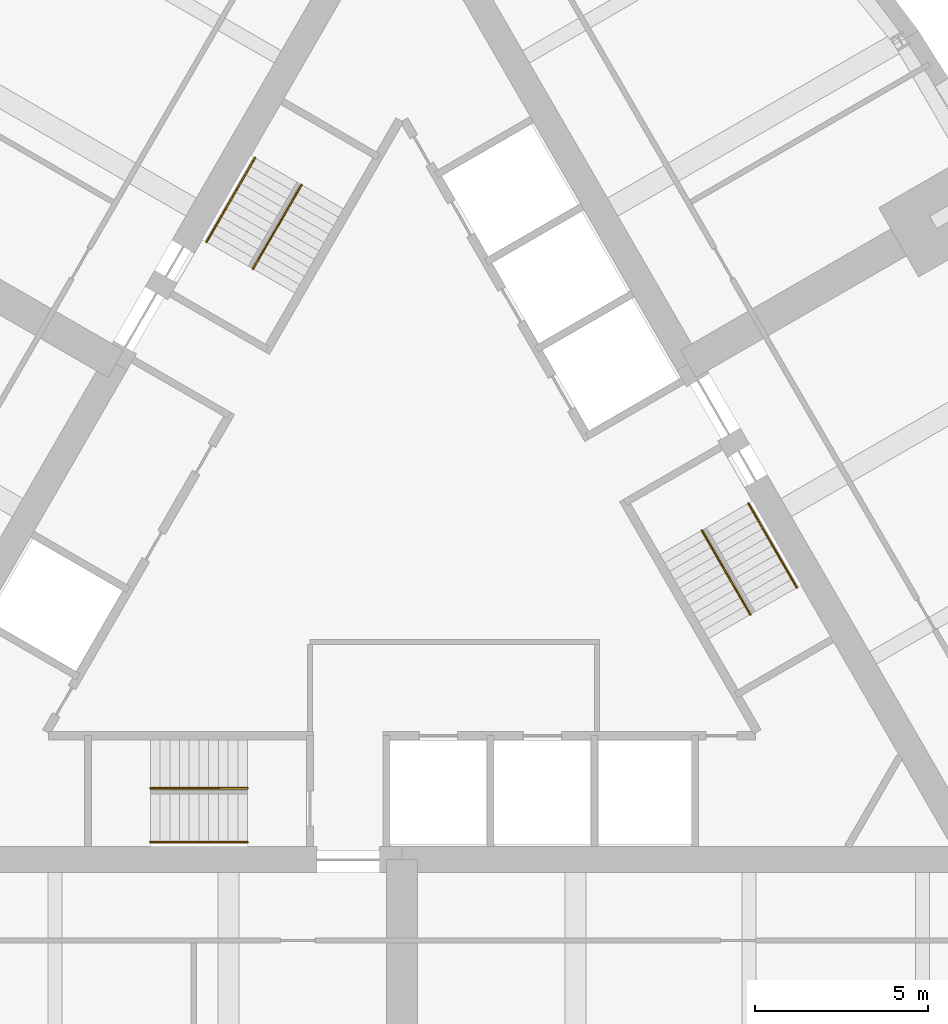
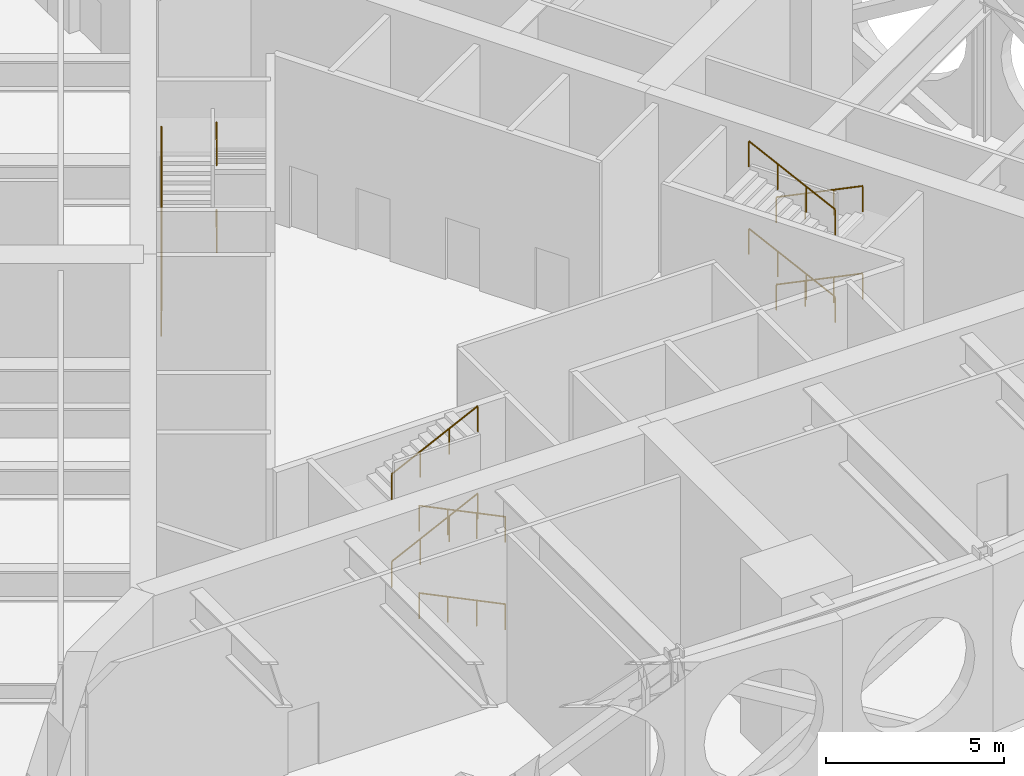
# One storey, part 7 of 7: 12 railings.
"""IFC4 building model written with IfcOpenShell, lengths in metres."""

from ifc_helpers import new_model, si_unit, direction, frame, origin, origin_2d, place, context, subcontext, project, spatial, circle, extrude, material, type_object, element, save


model = new_model("IFC4")

# Units and contexts
model_context = context("Model", 3, precision=1e-05, world=origin(), true_north=direction((0.0, 1.0)))
body_context = subcontext(model_context, "Body", "Model", "MODEL_VIEW")
ifc_project = project(units=[si_unit("LENGTHUNIT", "METRE"), si_unit("AREAUNIT", "SQUARE_METRE"), si_unit("VOLUMEUNIT", "CUBIC_METRE"), si_unit("PLANEANGLEUNIT", "RADIAN"), si_unit("MASSUNIT", "GRAM", prefix="KILO")], contexts=[model_context])

# Site, building, storey
site_placement = place(None, origin())
site = spatial("IfcSite", under=ifc_project, at=site_placement, CompositionType="ELEMENT")
building_placement = place(site_placement, origin())
building = spatial("IfcBuilding", under=site, at=building_placement, Name="Trikona Tower", CompositionType="ELEMENT")
storey_placement = place(building_placement, frame((0.0, 0.0, 233.300048828125)))
storey = spatial("IfcBuildingStorey", under=building, at=storey_placement, Name="L62", CompositionType="ELEMENT", Elevation=233.300048828125)

# Railings
ifc_material = material(Name="Stainless steel handrail", Category="steel")
railing_type = type_object("IfcRailingType", Name="Stair handrail", PredefinedType="HANDRAIL", material=ifc_material)
railing_1_placement = place(storey_placement, frame((-4.449951171875, -9.016357421875, 0.13623046875)))
element("IfcRailing", 1, at=railing_1_placement, inside=storey, type_object=railing_type, Name="Stair handrail A L62 1", PredefinedType="HANDRAIL", context=body_context, shape_type="SweptSolid", body=[
    extrude(circle(Radius=0.02392578125, at=origin_2d()), frame((0.0, 0.0, 0.8759765625), z_axis=(-0.899034972723, 0.0, 0.437876829508), x_axis=(0.0, -1.0, 0.0)), (0.0, 0.0, 1.0), 3.114501953125),
    extrude(circle(Radius=0.02099609375, at=origin_2d()), origin(), (0.0, 0.0, 1.0), 0.851806640625),
    extrude(circle(Radius=0.02099609375, at=origin_2d()), frame((-0.933349609375, 0.0, 0.45458984375)), (0.0, 0.0, 1.0), 0.851806640625),
    extrude(circle(Radius=0.02099609375, at=origin_2d()), frame((-1.86669921875, 0.0, 0.9091796875)), (0.0, 0.0, 1.0), 0.851806640625),
    extrude(circle(Radius=0.02099609375, at=origin_2d()), frame((-2.800048828125, 0.0, 1.36376953125)), (0.0, 0.0, 1.0), 0.851806640625),
])
railing_2_placement = place(storey_placement, frame((-7.25, -7.46630859375, 1.63623046875)))
element("IfcRailing", 2, at=railing_2_placement, inside=storey, type_object=railing_type, Name="Stair handrail A L62 2", PredefinedType="HANDRAIL", context=body_context, shape_type="SweptSolid", body=[
    extrude(circle(Radius=0.02392578125, at=origin_2d()), frame((0.0, 0.0, 0.8759765625), z_axis=(0.899034972723, 0.0, 0.437876829508), x_axis=(0.0, 1.0, 0.0)), (0.0, 0.0, 1.0), 3.114501953125),
    extrude(circle(Radius=0.02099609375, at=origin_2d()), origin(), (0.0, 0.0, 1.0), 0.851806640625),
    extrude(circle(Radius=0.02099609375, at=origin_2d()), frame((0.933349609375, 0.0, 0.45458984375)), (0.0, 0.0, 1.0), 0.851806640625),
    extrude(circle(Radius=0.02099609375, at=origin_2d()), frame((1.86669921875, 0.0, 0.9091796875)), (0.0, 0.0, 1.0), 0.851806640625),
    extrude(circle(Radius=0.02099609375, at=origin_2d()), frame((2.800048828125, 0.0, 1.36376953125)), (0.0, 0.0, 1.0), 0.851806640625),
])
railing_3_placement = place(storey_placement, frame((-4.449951171875, -9.016357421875, 3.13623046875)))
element("IfcRailing", 3, at=railing_3_placement, inside=storey, type_object=railing_type, Name="Stair handrail A L62 3", PredefinedType="HANDRAIL", context=body_context, shape_type="SweptSolid", body=[
    extrude(circle(Radius=0.02392578125, at=origin_2d()), frame((0.0, 0.0, 0.8759765625), z_axis=(-0.899034972723, 0.0, 0.437876829508), x_axis=(0.0, -1.0, 0.0)), (0.0, 0.0, 1.0), 3.114501953125),
    extrude(circle(Radius=0.02099609375, at=origin_2d()), origin(), (0.0, 0.0, 1.0), 0.851806640625),
    extrude(circle(Radius=0.02099609375, at=origin_2d()), frame((-0.933349609375, 0.0, 0.45458984375)), (0.0, 0.0, 1.0), 0.851806640625),
    extrude(circle(Radius=0.02099609375, at=origin_2d()), frame((-1.86669921875, 0.0, 0.9091796875)), (0.0, 0.0, 1.0), 0.851806640625),
    extrude(circle(Radius=0.02099609375, at=origin_2d()), frame((-2.800048828125, 0.0, 1.36376953125)), (0.0, 0.0, 1.0), 0.851806640625),
])
railing_4_placement = place(storey_placement, frame((-7.25, -7.46630859375, 4.63623046875)))
element("IfcRailing", 4, at=railing_4_placement, inside=storey, type_object=railing_type, Name="Stair handrail A L62 4", PredefinedType="HANDRAIL", context=body_context, shape_type="SweptSolid", body=[
    extrude(circle(Radius=0.02392578125, at=origin_2d()), frame((0.0, 0.0, 0.8759765625), z_axis=(0.899034972723, 0.0, 0.437876829508), x_axis=(0.0, 1.0, 0.0)), (0.0, 0.0, 1.0), 3.114501953125),
    extrude(circle(Radius=0.02099609375, at=origin_2d()), origin(), (0.0, 0.0, 1.0), 0.851806640625),
    extrude(circle(Radius=0.02099609375, at=origin_2d()), frame((0.933349609375, 0.0, 0.45458984375)), (0.0, 0.0, 1.0), 0.851806640625),
    extrude(circle(Radius=0.02099609375, at=origin_2d()), frame((1.86669921875, 0.0, 0.9091796875)), (0.0, 0.0, 1.0), 0.851806640625),
    extrude(circle(Radius=0.02099609375, at=origin_2d()), frame((2.800048828125, 0.0, 1.36376953125)), (0.0, 0.0, 1.0), 0.851806640625),
])
railing_5_placement = place(storey_placement, frame((9.9833984375, 0.740966796875, 0.13623046875)))
element("IfcRailing", 5, at=railing_5_placement, inside=storey, type_object=railing_type, Name="Stair handrail B L62 1", PredefinedType="HANDRAIL", context=body_context, shape_type="SweptSolid", body=[
    extrude(circle(Radius=0.02392578125, at=origin_2d()), frame((0.0, 0.0, 0.8759765625), z_axis=(0.449470995421, -0.778617962595, 0.437869721036), x_axis=(0.866056369097, 0.49994636267, 0.0)), (0.0, 0.0, 1.0), 3.114501953125),
    extrude(circle(Radius=0.02099609375, at=origin_2d()), origin(), (0.0, 0.0, 1.0), 0.851806640625),
    extrude(circle(Radius=0.02099609375, at=origin_2d()), frame((0.466552734375, -0.808349609375, 0.45458984375)), (0.0, 0.0, 1.0), 0.851806640625),
    extrude(circle(Radius=0.02099609375, at=origin_2d()), frame((0.933349609375, -1.61669921875, 0.9091796875)), (0.0, 0.0, 1.0), 0.851806640625),
    extrude(circle(Radius=0.02099609375, at=origin_2d()), frame((1.39990234375, -2.425048828125, 1.36376953125)), (0.0, 0.0, 1.0), 0.851806640625),
])
railing_6_placement = place(storey_placement, frame((10.041015625, -2.458984375, 1.63623046875)))
element("IfcRailing", 6, at=railing_6_placement, inside=storey, type_object=railing_type, Name="Stair handrail B L62 2", PredefinedType="HANDRAIL", context=body_context, shape_type="SweptSolid", body=[
    extrude(circle(Radius=0.02392578125, at=origin_2d()), frame((0.0, 0.0, 0.8759765625), z_axis=(-0.449470995421, 0.778617962595, 0.437869721036), x_axis=(-0.866056369097, -0.49994636267, 0.0)), (0.0, 0.0, 1.0), 3.114501953125),
    extrude(circle(Radius=0.02099609375, at=origin_2d()), origin(), (0.0, 0.0, 1.0), 0.851806640625),
    extrude(circle(Radius=0.02099609375, at=origin_2d()), frame((-0.466552734375, 0.808349609375, 0.45458984375)), (0.0, 0.0, 1.0), 0.851806640625),
    extrude(circle(Radius=0.02099609375, at=origin_2d()), frame((-0.933349609375, 1.61669921875, 0.9091796875)), (0.0, 0.0, 1.0), 0.851806640625),
    extrude(circle(Radius=0.02099609375, at=origin_2d()), frame((-1.39990234375, 2.425048828125, 1.36376953125)), (0.0, 0.0, 1.0), 0.851806640625),
])
railing_7_placement = place(storey_placement, frame((9.9833984375, 0.740966796875, 3.13623046875)))
element("IfcRailing", 7, at=railing_7_placement, inside=storey, type_object=railing_type, Name="Stair handrail B L62 3", PredefinedType="HANDRAIL", context=body_context, shape_type="SweptSolid", body=[
    extrude(circle(Radius=0.02392578125, at=origin_2d()), frame((0.0, 0.0, 0.8759765625), z_axis=(0.449470995421, -0.778617962595, 0.437869721036), x_axis=(0.866056369097, 0.49994636267, 0.0)), (0.0, 0.0, 1.0), 3.114501953125),
    extrude(circle(Radius=0.02099609375, at=origin_2d()), origin(), (0.0, 0.0, 1.0), 0.851806640625),
    extrude(circle(Radius=0.02099609375, at=origin_2d()), frame((0.466552734375, -0.808349609375, 0.45458984375)), (0.0, 0.0, 1.0), 0.851806640625),
    extrude(circle(Radius=0.02099609375, at=origin_2d()), frame((0.933349609375, -1.61669921875, 0.9091796875)), (0.0, 0.0, 1.0), 0.851806640625),
    extrude(circle(Radius=0.02099609375, at=origin_2d()), frame((1.39990234375, -2.425048828125, 1.36376953125)), (0.0, 0.0, 1.0), 0.851806640625),
])
railing_8_placement = place(storey_placement, frame((10.041015625, -2.458984375, 4.63623046875)))
element("IfcRailing", 8, at=railing_8_placement, inside=storey, type_object=railing_type, Name="Stair handrail B L62 4", PredefinedType="HANDRAIL", context=body_context, shape_type="SweptSolid", body=[
    extrude(circle(Radius=0.02392578125, at=origin_2d()), frame((0.0, 0.0, 0.8759765625), z_axis=(-0.449470995421, 0.778617962595, 0.437869721036), x_axis=(-0.866056369097, -0.49994636267, 0.0)), (0.0, 0.0, 1.0), 3.114501953125),
    extrude(circle(Radius=0.02099609375, at=origin_2d()), origin(), (0.0, 0.0, 1.0), 0.851806640625),
    extrude(circle(Radius=0.02099609375, at=origin_2d()), frame((-0.466552734375, 0.808349609375, 0.45458984375)), (0.0, 0.0, 1.0), 0.851806640625),
    extrude(circle(Radius=0.02099609375, at=origin_2d()), frame((-0.933349609375, 1.61669921875, 0.9091796875)), (0.0, 0.0, 1.0), 0.851806640625),
    extrude(circle(Radius=0.02099609375, at=origin_2d()), frame((-1.39990234375, 2.425048828125, 1.36376953125)), (0.0, 0.0, 1.0), 0.851806640625),
])
railing_9_placement = place(storey_placement, frame((-5.63330078125, 8.275390625, 0.13623046875)))
element("IfcRailing", 9, at=railing_9_placement, inside=storey, type_object=railing_type, Name="Stair handrail C L62 1", PredefinedType="HANDRAIL", context=body_context, shape_type="SweptSolid", body=[
    extrude(circle(Radius=0.02392578125, at=origin_2d()), frame((0.0, 0.0, 0.8759765625), z_axis=(0.449498429348, 0.778587094573, 0.437896446867), x_axis=(-0.866034573852, 0.49998411664, 0.0)), (0.0, 0.0, 1.0), 3.1142578125),
    extrude(circle(Radius=0.02099609375, at=origin_2d()), origin(), (0.0, 0.0, 1.0), 0.851806640625),
    extrude(circle(Radius=0.02099609375, at=origin_2d()), frame((0.466552734375, 0.808349609375, 0.45458984375)), (0.0, 0.0, 1.0), 0.851806640625),
    extrude(circle(Radius=0.02099609375, at=origin_2d()), frame((0.933349609375, 1.616455078125, 0.9091796875)), (0.0, 0.0, 1.0), 0.851806640625),
    extrude(circle(Radius=0.02099609375, at=origin_2d()), frame((1.39990234375, 2.4248046875, 1.36376953125)), (0.0, 0.0, 1.0), 0.851806640625),
])
railing_10_placement = place(storey_placement, frame((-2.89111328125, 9.92529296875, 1.63623046875)))
element("IfcRailing", 10, at=railing_10_placement, inside=storey, type_object=railing_type, Name="Stair handrail C L62 2", PredefinedType="HANDRAIL", context=body_context, shape_type="SweptSolid", body=[
    extrude(circle(Radius=0.02392578125, at=origin_2d()), frame((0.0, 0.0, 0.8759765625), z_axis=(-0.449470995421, -0.778617962595, 0.437869721036), x_axis=(0.866056369097, -0.49994636267, 0.0)), (0.0, 0.0, 1.0), 3.114501953125),
    extrude(circle(Radius=0.02099609375, at=origin_2d()), origin(), (0.0, 0.0, 1.0), 0.851806640625),
    extrude(circle(Radius=0.02099609375, at=origin_2d()), frame((-0.466552734375, -0.808349609375, 0.45458984375)), (0.0, 0.0, 1.0), 0.851806640625),
    extrude(circle(Radius=0.02099609375, at=origin_2d()), frame((-0.933349609375, -1.61669921875, 0.9091796875)), (0.0, 0.0, 1.0), 0.851806640625),
    extrude(circle(Radius=0.02099609375, at=origin_2d()), frame((-1.39990234375, -2.425048828125, 1.36376953125)), (0.0, 0.0, 1.0), 0.851806640625),
])
railing_11_placement = place(storey_placement, frame((-5.63330078125, 8.275390625, 3.13623046875)))
element("IfcRailing", 11, at=railing_11_placement, inside=storey, type_object=railing_type, Name="Stair handrail C L62 3", PredefinedType="HANDRAIL", context=body_context, shape_type="SweptSolid", body=[
    extrude(circle(Radius=0.02392578125, at=origin_2d()), frame((0.0, 0.0, 0.8759765625), z_axis=(0.449498429348, 0.778587094573, 0.437896446867), x_axis=(-0.866034573852, 0.49998411664, 0.0)), (0.0, 0.0, 1.0), 3.1142578125),
    extrude(circle(Radius=0.02099609375, at=origin_2d()), origin(), (0.0, 0.0, 1.0), 0.851806640625),
    extrude(circle(Radius=0.02099609375, at=origin_2d()), frame((0.466552734375, 0.808349609375, 0.45458984375)), (0.0, 0.0, 1.0), 0.851806640625),
    extrude(circle(Radius=0.02099609375, at=origin_2d()), frame((0.933349609375, 1.616455078125, 0.9091796875)), (0.0, 0.0, 1.0), 0.851806640625),
    extrude(circle(Radius=0.02099609375, at=origin_2d()), frame((1.39990234375, 2.4248046875, 1.36376953125)), (0.0, 0.0, 1.0), 0.851806640625),
])
railing_12_placement = place(storey_placement, frame((-2.89111328125, 9.92529296875, 4.63623046875)))
element("IfcRailing", 12, at=railing_12_placement, inside=storey, type_object=railing_type, Name="Stair handrail C L62 4", PredefinedType="HANDRAIL", context=body_context, shape_type="SweptSolid", body=[
    extrude(circle(Radius=0.02392578125, at=origin_2d()), frame((0.0, 0.0, 0.8759765625), z_axis=(-0.449470995421, -0.778617962595, 0.437869721036), x_axis=(0.866056369097, -0.49994636267, 0.0)), (0.0, 0.0, 1.0), 3.114501953125),
    extrude(circle(Radius=0.02099609375, at=origin_2d()), origin(), (0.0, 0.0, 1.0), 0.851806640625),
    extrude(circle(Radius=0.02099609375, at=origin_2d()), frame((-0.466552734375, -0.808349609375, 0.45458984375)), (0.0, 0.0, 1.0), 0.851806640625),
    extrude(circle(Radius=0.02099609375, at=origin_2d()), frame((-0.933349609375, -1.61669921875, 0.9091796875)), (0.0, 0.0, 1.0), 0.851806640625),
    extrude(circle(Radius=0.02099609375, at=origin_2d()), frame((-1.39990234375, -2.425048828125, 1.36376953125)), (0.0, 0.0, 1.0), 0.851806640625),
])

save(model, "model.ifc")
